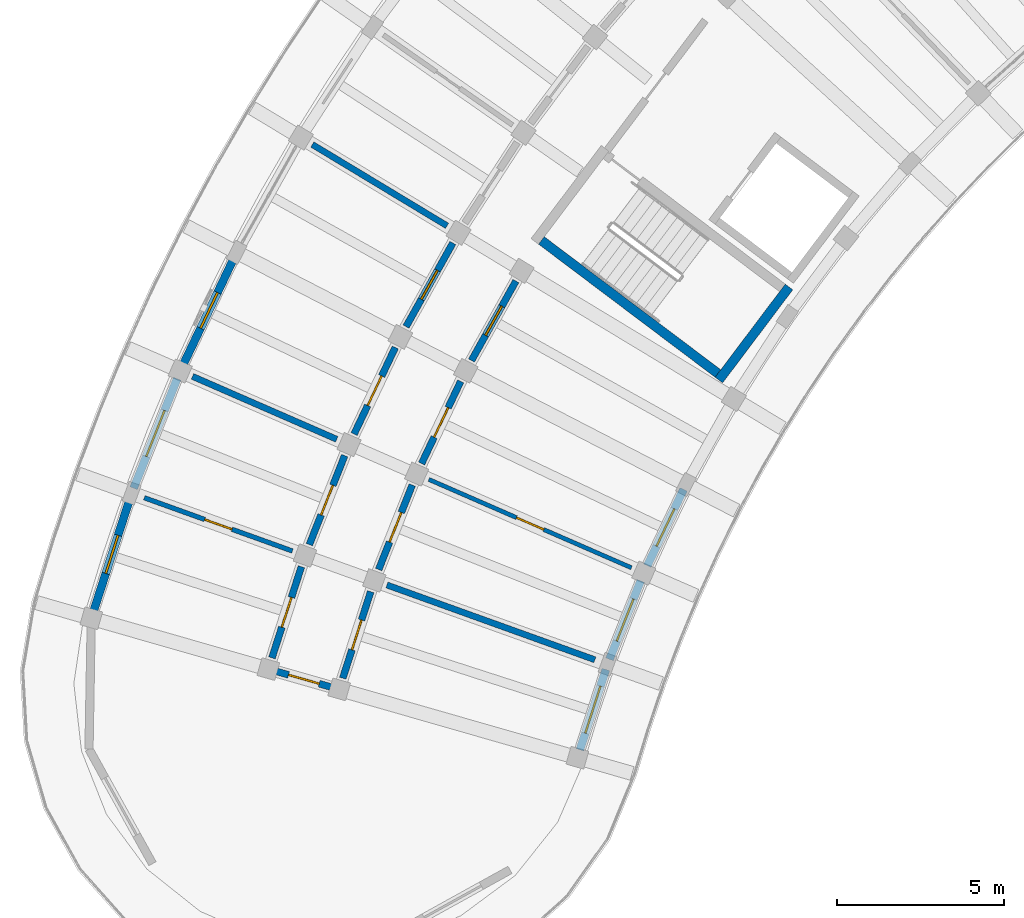
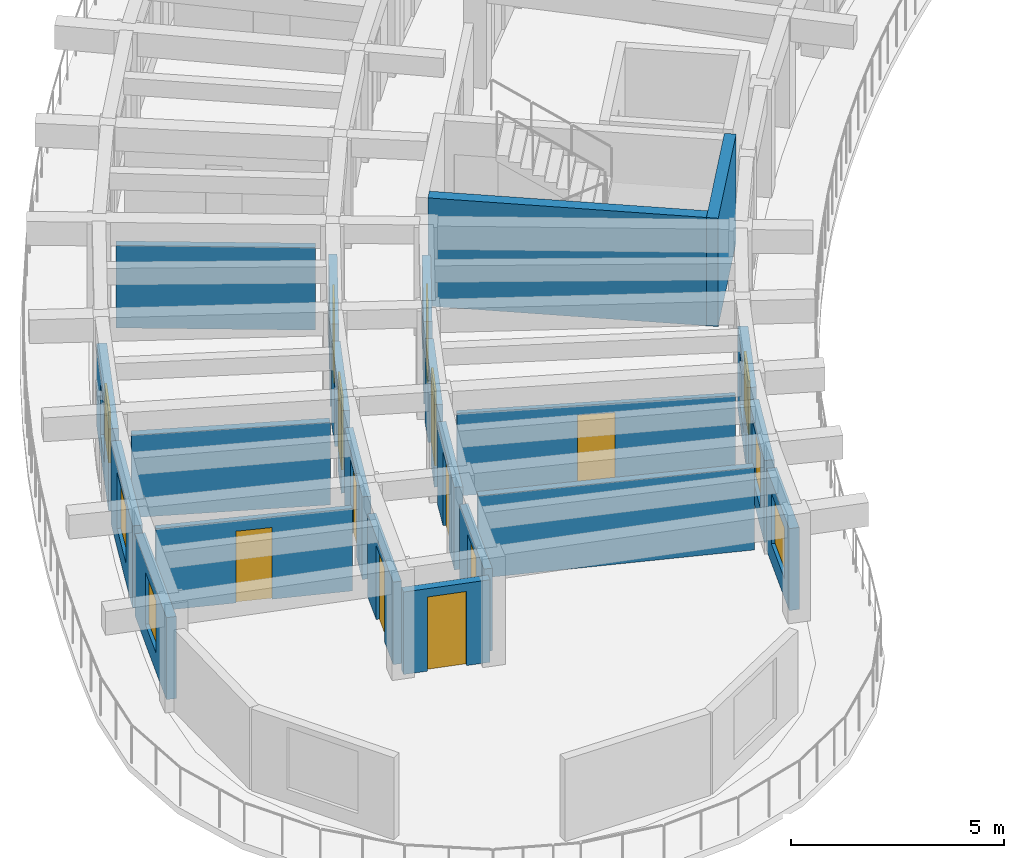
# One storey, part 42 of 78: 22 walls, 11 doors, 6 windows, 17 openings.
"""IFC4 building model written with IfcOpenShell, lengths in metres."""

import ifcopenshell
import ifcopenshell.guid

model = None  # the IFC model being written
_history = None  # IfcOwnerHistory: only IFC2X3 demands one
_inside = {}  # id of a spatial element -> (the spatial element, [elements in it])
_under = {}  # id of a project, library or spatial element -> (it, [spatial elements below it])
_declared = {}  # id of a project -> (the project, [libraries it declares])
_typed = {}  # id of a type object -> (the type object, [elements of that type])
_made_of = {}  # id of a material, layer set ... -> (it, [elements and type objects made of it])


def new_model(schema):
    """Start an empty IFC model of exactly this schema.

    Asked for "IFC4X3", IfcOpenShell would pick the latest addendum, in which some entities
    have other attributes; the version numbers below select the first issue.
    IFC2X3 requires an IfcOwnerHistory on every rooted entity: one is made here for all.
    """
    global model, _history
    if schema == "IFC4X3":
        model = ifcopenshell.file(schema_version=(4, 3, 0, 0))
    else:
        model = ifcopenshell.file(schema=schema)
    _inside.clear()
    _under.clear()
    _declared.clear()
    _typed.clear()
    _made_of.clear()
    _history = None
    if model.schema == "IFC2X3":
        org = make("IfcOrganization", Name="unknown")
        user = make(
            "IfcPersonAndOrganization",
            ThePerson=make("IfcPerson", FamilyName="unknown"),
            TheOrganization=org,
        )
        app = make(
            "IfcApplication",
            ApplicationDeveloper=org,
            Version="unknown",
            ApplicationFullName="unknown",
            ApplicationIdentifier="unknown",
        )
        _history = make(
            "IfcOwnerHistory",
            OwningUser=user,
            OwningApplication=app,
            ChangeAction="ADDED",
            CreationDate=0,
        )
    return model


def make(cls, **values):
    """One entity of the class cls with the attributes given. An attribute that is None is left unset."""
    return model.create_entity(
        cls, **{name: value for name, value in values.items() if value is not None}
    )


def rooted(cls, **values):
    """An entity with a GlobalId (a new one), such as an element, a storey or a relation."""
    return make(cls, GlobalId=ifcopenshell.guid.new(), OwnerHistory=_history, **values)


def si_unit(unit_type, name, prefix=None):
    """IfcSIUnit, for example si_unit("LENGTHUNIT", "METRE", prefix="MILLI")."""
    return make("IfcSIUnit", UnitType=unit_type, Prefix=prefix, Name=name)


def assignment(units):
    """IfcUnitAssignment: the units of a project."""
    return None if units is None else make("IfcUnitAssignment", Units=units)


def point(xyz):
    """IfcCartesianPoint."""
    return None if xyz is None else make("IfcCartesianPoint", Coordinates=xyz)


def direction(xyz):
    """IfcDirection."""
    return None if xyz is None else make("IfcDirection", DirectionRatios=xyz)


def frame(location, z_axis=None, x_axis=None):
    """IfcAxis2Placement3D, a coordinate frame: its origin and axes. An axis left out is left unset."""
    return make(
        "IfcAxis2Placement3D",
        Location=point(location),
        Axis=direction(z_axis),
        RefDirection=direction(x_axis),
    )


def frame_2d(location, x_axis=None):
    """IfcAxis2Placement2D, a coordinate frame in the plane: its origin and x axis."""
    return make(
        "IfcAxis2Placement2D", Location=point(location), RefDirection=direction(x_axis)
    )


def origin():
    """The frame at (0, 0, 0) with its axes left unset."""
    return frame((0.0, 0.0, 0.0))


def place(relative_to, where):
    """IfcLocalPlacement: puts the frame where relative to a parent placement (None: the world)."""
    return make(
        "IfcLocalPlacement", PlacementRelTo=relative_to, RelativePlacement=where
    )


def context(
    kind, dimensions, precision=None, world=None, true_north=None, identifier=None
):
    """IfcGeometricRepresentationContext, for example the 3D "Model" context."""
    return make(
        "IfcGeometricRepresentationContext",
        ContextIdentifier=identifier,
        ContextType=kind,
        CoordinateSpaceDimension=dimensions,
        Precision=precision,
        WorldCoordinateSystem=world,
        TrueNorth=true_north,
    )


def subcontext(parent, identifier, kind, view, scale=None):
    """IfcGeometricRepresentationSubContext, for example "Body" below "Model"."""
    return make(
        "IfcGeometricRepresentationSubContext",
        ContextIdentifier=identifier,
        ContextType=kind,
        ParentContext=parent,
        TargetScale=scale,
        TargetView=view,
    )


def project(units=None, contexts=None):
    """IfcProject with its units and contexts."""
    return rooted(
        "IfcProject",
        Name="project",
        RepresentationContexts=contexts,
        UnitsInContext=assignment(units),
    )


def spatial(cls, under=None, at=None, **own):
    """A site, building, storey or space (cls), placed at a placement, below another one or the project."""
    s = rooted(cls, ObjectPlacement=at, **own)
    if under is not None:
        _under.setdefault(under.id(), (under, []))[1].append(s)
    return s


def profile(cls, at=None, kind="AREA", **sizes):
    """A parametric profile (cls). Its sizes go by their IFC names, for example OverallWidth=200.0."""
    return make(cls, ProfileType=kind, Position=at, **sizes)


def rectangle(**sizes):
    """IfcRectangleProfileDef."""
    return profile("IfcRectangleProfileDef", **sizes)


def extrude(swept, where, along, depth):
    """IfcExtrudedAreaSolid: the profile swept, set in the frame where, extruded along a direction by depth."""
    return make(
        "IfcExtrudedAreaSolid",
        SweptArea=swept,
        Position=where,
        ExtrudedDirection=direction(along),
        Depth=depth,
    )


def shape(context_of_items, identifier, shape_type, items):
    """IfcShapeRepresentation: the items that make up one representation, for example the "Body"."""
    return make(
        "IfcShapeRepresentation",
        ContextOfItems=context_of_items,
        RepresentationIdentifier=identifier,
        RepresentationType=shape_type,
        Items=items,
    )


def material(Name=None, Category=None):
    """IfcMaterial."""
    return make("IfcMaterial", Name=Name, Category=Category)


def layer(
    of_material, thickness, ventilated=None, Name=None, Category=None, Priority=None
):
    """IfcMaterialLayer: one layer of a wall or slab, of a material (None: an air gap)."""
    return make(
        "IfcMaterialLayer",
        Material=of_material,
        LayerThickness=thickness,
        IsVentilated=ventilated,
        Name=Name,
        Category=Category,
        Priority=Priority,
    )


def layer_set(layers, Name=None):
    """IfcMaterialLayerSet."""
    return make("IfcMaterialLayerSet", MaterialLayers=layers, LayerSetName=Name)


def made_of(thing, what):
    """Note that an element or type object is made of a material, layer set ...; save() writes the relation."""
    if what is not None:
        _made_of.setdefault(what.id(), (what, []))[1].append(thing)
    return thing


def type_object(cls, material=None, **own):
    """A type object (cls), such as IfcWallType, which elements share."""
    return made_of(rooted(cls, **own), material)


def element(
    cls,
    number,
    at=None,
    inside=None,
    cuts=None,
    type_object=None,
    material=None,
    context=None,
    identifier="Body",
    shape_type=None,
    held_by="IfcProductDefinitionShape",
    body=None,
    shapes=None,
    **own,
):
    """One element of the class cls, such as IfcWall. Its Tag is "e" and its number.

    at: its placement. inside: the storey or other place that contains it. cuts: it is an
    opening in that element (IfcRelVoidsElement). A single representation is given by context,
    identifier, shape_type and body (its items); several are given by shapes. held_by: the class
    of the entity that holds the representations. save() writes the other relations.
    """
    e = rooted(cls, Tag="e%d" % number, ObjectPlacement=at, **own)
    if body is not None:
        shapes = [shape(context, identifier, shape_type, body)]
    if shapes is not None:
        e.Representation = make(held_by, Representations=shapes)
    if inside is not None:
        _inside.setdefault(inside.id(), (inside, []))[1].append(e)
    if cuts is not None:
        rooted(
            "IfcRelVoidsElement", RelatingBuildingElement=cuts, RelatedOpeningElement=e
        )
    if type_object is not None:
        _typed.setdefault(type_object.id(), (type_object, []))[1].append(e)
    return made_of(e, material)


def fill(opening, filler):
    """IfcRelFillsElement: the door or window that sits in an opening."""
    return rooted(
        "IfcRelFillsElement",
        RelatingOpeningElement=opening,
        RelatedBuildingElement=filler,
    )


def aggregate(whole, parts):
    """IfcRelAggregates: a whole, such as a stair, and the parts it consists of."""
    return rooted("IfcRelAggregates", RelatingObject=whole, RelatedObjects=parts)


def save(model, path):
    """Write the relations noted so far, then the file.

    IfcRelAggregates (storeys below a building ...), IfcRelContainedInSpatialStructure (elements
    in a storey), IfcRelDefinesByType, IfcRelAssociatesMaterial and IfcRelDeclares: one each for
    every whole, place, type object, material and project.
    """
    for whole, parts in _under.values():
        aggregate(whole, parts)
    for where, things in _inside.values():
        rooted(
            "IfcRelContainedInSpatialStructure",
            RelatedElements=things,
            RelatingStructure=where,
        )
    for kind, things in _typed.values():
        rooted("IfcRelDefinesByType", RelatedObjects=things, RelatingType=kind)
    for what, things in _made_of.values():
        rooted("IfcRelAssociatesMaterial", RelatedObjects=things, RelatingMaterial=what)
    for by, libraries in _declared.values():
        rooted("IfcRelDeclares", RelatingContext=by, RelatedDefinitions=libraries)
    model.write(path)


model = new_model("IFC4")

# Units and contexts
model_context = context("Model", 3, precision=1e-05, world=origin(), true_north=direction((0.0, 1.0)))
body_context = subcontext(model_context, "Body", "Model", "MODEL_VIEW")
ifc_project = project(units=[si_unit("LENGTHUNIT", "METRE"), si_unit("AREAUNIT", "SQUARE_METRE"), si_unit("VOLUMEUNIT", "CUBIC_METRE"), si_unit("PLANEANGLEUNIT", "RADIAN"), si_unit("MASSUNIT", "GRAM", prefix="KILO")], contexts=[model_context])

# Site, building, storey
site_placement = place(None, origin())
site = spatial("IfcSite", under=ifc_project, at=site_placement, CompositionType="ELEMENT")
building_placement = place(site_placement, origin())
building = spatial("IfcBuilding", under=site, at=building_placement, Name="Tanwirah Colonnade Gardens", CompositionType="ELEMENT")
storey_placement = place(building_placement, frame((0.0, 0.0, 22.280029296875)))
storey = spatial("IfcBuildingStorey", under=building, at=storey_placement, Name="L06", CompositionType="ELEMENT", Elevation=22.280029296875)

# Wall, opening, window
ifc_material_1 = material(Name="Limestone architectural precast concrete C40/50", Category="masonry")
ifc_layer_1 = layer(ifc_material_1, 0.2451171875)
ifc_layer_set_1 = layer_set([ifc_layer_1], Name="Limestone architectural precast concrete C40/50")
wall_type_1 = type_object("IfcWallType", Name="EW-PC245", PredefinedType="SOLIDWALL", material=ifc_layer_set_1)
wall_1_placement = place(storey_placement, frame((12.030029296875, 87.39892578125, 0.0), z_axis=(0.0, 0.0, 1.0), x_axis=(-0.429653621352, -0.902993779413, 0.0)))
wall_1 = element("IfcWall", 1, at=wall_1_placement, inside=storey, type_object=wall_type_1, Name="Block A L06 OUT Precast Facade Wall 15", PredefinedType="SOLIDWALL", context=body_context, shape_type="SweptSolid", body=[
    extrude(rectangle(XDim=3.520751953125, YDim=0.2451171875, at=frame_2d((1.76025390625, 0.0))), origin(), (0.0, 0.0, 1.0), 2.35498046875),
])
opening_1_placement = place(wall_1_placement, frame((1.17041015625, 0.0, 0.550048828125)))
opening_1 = element("IfcOpeningElement", 2, at=opening_1_placement, cuts=wall_1, Name="Opening WIN-T16", PredefinedType="OPENING", context=body_context, shape_type="SweptSolid", body=[
    extrude(rectangle(XDim=1.179931640625, YDim=1.47998046875, at=frame_2d((0.58984375, 0.739990234375))), frame((0.0, 0.132568359375, 0.0), z_axis=(0.0, -1.0, 0.0), x_axis=(1.0, 0.0, 0.0)), (0.0, 0.0, 1.0), 0.26513671875),
])
ifc_material_2 = material(Name="Thermally broken bronze aluminium and solar low-E double glazing", Category="aluminium")
window_type_1 = type_object("IfcWindowType", Name="WIN-T16", PartitioningType="SINGLE_PANEL", PredefinedType="WINDOW", material=ifc_material_2)
window_1_placement = place(opening_1_placement, origin())
window_1 = element("IfcWindow", 3, at=window_1_placement, inside=storey, type_object=window_type_1, Name="Facade window A-L06-OUT-15", OverallHeight=1.47998046875, OverallWidth=1.179931640625, PartitioningType="SINGLE_PANEL", PredefinedType="WINDOW", context=body_context, shape_type="SweptSolid", body=[
    extrude(rectangle(XDim=1.179931640625, YDim=1.47998046875, at=frame_2d((0.58984375, 0.739990234375))), frame((0.0, 0.030029296875, 0.0), z_axis=(0.0, -1.0, 0.0), x_axis=(1.0, 0.0, 0.0)), (0.0, 0.0, 1.0), 0.06005859375),
])
fill(opening_1, window_1)

wall_2_placement = place(storey_placement, frame((25.444091796875, 80.465576171875, 0.0), z_axis=(0.0, 0.0, 1.0), x_axis=(-0.429610836066, -0.903014135844, 0.0)))
wall_2 = element("IfcWall", 4, at=wall_2_placement, inside=storey, type_object=wall_type_1, Name="Block A L06 IN Precast Facade Wall 15", PredefinedType="SOLIDWALL", context=body_context, shape_type="SweptSolid", body=[
    extrude(rectangle(XDim=2.525390625, YDim=0.2451171875, at=frame_2d((1.2626953125, 0.0))), origin(), (0.0, 0.0, 1.0), 2.35498046875),
])
opening_2_placement = place(wall_2_placement, frame((0.642578125, 0.0, 0.550048828125)))
opening_2 = element("IfcOpeningElement", 5, at=opening_2_placement, cuts=wall_2, Name="Opening WIN-U03", PredefinedType="OPENING", context=body_context, shape_type="SweptSolid", body=[
    extrude(rectangle(XDim=1.239990234375, YDim=1.534912109375, at=frame_2d((0.6201171875, 0.767578125))), frame((0.0, 0.132568359375, 0.0), z_axis=(0.0, -1.0, 0.0), x_axis=(1.0, 0.0, 0.0)), (0.0, 0.0, 1.0), 0.26513671875),
])
window_type_2 = type_object("IfcWindowType", Name="WIN-U03", PartitioningType="DOUBLE_PANEL_VERTICAL", PredefinedType="WINDOW", material=ifc_material_2)
window_2_placement = place(opening_2_placement, origin())
window_2 = element("IfcWindow", 6, at=window_2_placement, inside=storey, type_object=window_type_2, Name="Facade window A-L06-IN-15", OverallHeight=1.534912109375, OverallWidth=1.239990234375, PartitioningType="SINGLE_PANEL", PredefinedType="WINDOW", context=body_context, shape_type="SweptSolid", body=[
    extrude(rectangle(XDim=1.239990234375, YDim=1.534912109375, at=frame_2d((0.6201171875, 0.767578125))), frame((0.0, 0.030029296875, 0.0), z_axis=(0.0, -1.0, 0.0), x_axis=(1.0, 0.0, 0.0)), (0.0, 0.0, 1.0), 0.06005859375),
])
fill(opening_2, window_2)

wall_3_placement = place(storey_placement, frame((10.32177734375, 83.770751953125, 0.0), z_axis=(0.0, 0.0, 1.0), x_axis=(-0.369249632056, -0.929330247666, 0.0)))
wall_3 = element("IfcWall", 7, at=wall_3_placement, inside=storey, type_object=wall_type_1, Name="Block A L06 OUT Precast Facade Wall 16", PredefinedType="SOLIDWALL", context=body_context, shape_type="SweptSolid", body=[
    extrude(rectangle(XDim=3.520751953125, YDim=0.2451171875, at=frame_2d((1.76025390625, 0.0))), origin(), (0.0, 0.0, 1.0), 2.35498046875),
])
opening_3_placement = place(wall_3_placement, frame((1.020263671875, 0.0, 0.550048828125)))
opening_3 = element("IfcOpeningElement", 8, at=opening_3_placement, cuts=wall_3, Name="Opening WIN-T19", PredefinedType="OPENING", context=body_context, shape_type="SweptSolid", body=[
    extrude(rectangle(XDim=1.47998046875, YDim=1.6201171875, at=frame_2d((0.739990234375, 0.81005859375))), frame((0.0, 0.132568359375, 0.0), z_axis=(0.0, -1.0, 0.0), x_axis=(1.0, 0.0, 0.0)), (0.0, 0.0, 1.0), 0.26513671875),
])
window_type_3 = type_object("IfcWindowType", Name="WIN-T19", PartitioningType="DOUBLE_PANEL_VERTICAL", PredefinedType="WINDOW", material=ifc_material_2)
window_3_placement = place(opening_3_placement, origin())
window_3 = element("IfcWindow", 9, at=window_3_placement, inside=storey, type_object=window_type_3, Name="Facade window A-L06-OUT-16", OverallHeight=1.6201171875, OverallWidth=1.47998046875, PartitioningType="SINGLE_PANEL", PredefinedType="WINDOW", context=body_context, shape_type="SweptSolid", body=[
    extrude(rectangle(XDim=1.47998046875, YDim=1.6201171875, at=frame_2d((0.739990234375, 0.81005859375))), frame((0.0, 0.030029296875, 0.0), z_axis=(0.0, -1.0, 0.0), x_axis=(1.0, 0.0, 0.0)), (0.0, 0.0, 1.0), 0.06005859375),
])
fill(opening_3, window_3)

wall_4_placement = place(storey_placement, frame((24.163330078125, 77.736328125, 0.0), z_axis=(0.0, 0.0, 1.0), x_axis=(-0.369122600107, -0.92938071106, 0.0)))
wall_4 = element("IfcWall", 10, at=wall_4_placement, inside=storey, type_object=wall_type_1, Name="Block A L06 IN Precast Facade Wall 16", PredefinedType="SOLIDWALL", context=body_context, shape_type="SweptSolid", body=[
    extrude(rectangle(XDim=2.525146484375, YDim=0.2451171875, at=frame_2d((1.2626953125, 0.0))), origin(), (0.0, 0.0, 1.0), 2.35498046875),
])
opening_4_placement = place(wall_4_placement, frame((0.58251953125, 0.0, 0.550048828125)))
opening_4 = element("IfcOpeningElement", 11, at=opening_4_placement, cuts=wall_4, Name="Opening WIN-U06", PredefinedType="OPENING", context=body_context, shape_type="SweptSolid", body=[
    extrude(rectangle(XDim=1.360107421875, YDim=1.610107421875, at=frame_2d((0.68017578125, 0.80517578125))), frame((0.0, 0.132568359375, 0.0), z_axis=(0.0, -1.0, 0.0), x_axis=(1.0, 0.0, 0.0)), (0.0, 0.0, 1.0), 0.26513671875),
])
window_type_4 = type_object("IfcWindowType", Name="WIN-U06", PartitioningType="DOUBLE_PANEL_VERTICAL", PredefinedType="WINDOW", material=ifc_material_2)
window_4_placement = place(opening_4_placement, origin())
window_4 = element("IfcWindow", 12, at=window_4_placement, inside=storey, type_object=window_type_4, Name="Facade window A-L06-IN-16", OverallHeight=1.610107421875, OverallWidth=1.360107421875, PartitioningType="SINGLE_PANEL", PredefinedType="WINDOW", context=body_context, shape_type="SweptSolid", body=[
    extrude(rectangle(XDim=1.360107421875, YDim=1.610107421875, at=frame_2d((0.68017578125, 0.80517578125))), frame((0.0, 0.030029296875, 0.0), z_axis=(0.0, -1.0, 0.0), x_axis=(1.0, 0.0, 0.0)), (0.0, 0.0, 1.0), 0.06005859375),
])
fill(opening_4, window_4)

wall_5_placement = place(storey_placement, frame((8.91357421875, 80.19775390625, 0.0), z_axis=(0.0, 0.0, 1.0), x_axis=(-0.30720538788, -0.951643236543, 0.0)))
wall_5 = element("IfcWall", 13, at=wall_5_placement, inside=storey, type_object=wall_type_1, Name="Block A L06 OUT Precast Facade Wall 17", PredefinedType="SOLIDWALL", context=body_context, shape_type="SweptSolid", body=[
    extrude(rectangle(XDim=3.5205078125, YDim=0.2451171875, at=frame_2d((1.76025390625, 0.0))), origin(), (0.0, 0.0, 1.0), 2.35498046875),
])
opening_5_placement = place(wall_5_placement, frame((1.160400390625, 0.0, 0.550048828125)))
opening_5 = element("IfcOpeningElement", 14, at=opening_5_placement, cuts=wall_5, Name="Opening WIN-U02", PredefinedType="OPENING", context=body_context, shape_type="SweptSolid", body=[
    extrude(rectangle(XDim=1.199951171875, YDim=1.510009765625, at=frame_2d((0.60009765625, 0.7548828125))), frame((0.0, 0.132568359375, 0.0), z_axis=(0.0, -1.0, 0.0), x_axis=(1.0, 0.0, 0.0)), (0.0, 0.0, 1.0), 0.26513671875),
])
window_type_5 = type_object("IfcWindowType", Name="WIN-U02", PartitioningType="DOUBLE_PANEL_VERTICAL", PredefinedType="WINDOW", material=ifc_material_2)
window_5_placement = place(opening_5_placement, origin())
window_5 = element("IfcWindow", 15, at=window_5_placement, inside=storey, type_object=window_type_5, Name="Facade window A-L06-OUT-17", OverallHeight=1.510009765625, OverallWidth=1.199951171875, PartitioningType="SINGLE_PANEL", PredefinedType="WINDOW", context=body_context, shape_type="SweptSolid", body=[
    extrude(rectangle(XDim=1.199951171875, YDim=1.510009765625, at=frame_2d((0.60009765625, 0.7548828125))), frame((0.0, 0.030029296875, 0.0), z_axis=(0.0, -1.0, 0.0), x_axis=(1.0, 0.0, 0.0)), (0.0, 0.0, 1.0), 0.06005859375),
])
fill(opening_5, window_5)

wall_6_placement = place(storey_placement, frame((23.122802734375, 75.08837890625, 0.0), z_axis=(0.0, 0.0, 1.0), x_axis=(-0.30716379336, -0.951656662903, 0.0)))
wall_6 = element("IfcWall", 16, at=wall_6_placement, inside=storey, type_object=wall_type_1, Name="Block A L06 IN Precast Facade Wall 17", PredefinedType="SOLIDWALL", context=body_context, shape_type="SweptSolid", body=[
    extrude(rectangle(XDim=2.525146484375, YDim=0.2451171875, at=frame_2d((1.2626953125, 0.0))), origin(), (0.0, 0.0, 1.0), 2.35498046875),
])
opening_6_placement = place(wall_6_placement, frame((0.522705078125, 0.0, 0.550048828125)))
opening_6 = element("IfcOpeningElement", 17, at=opening_6_placement, cuts=wall_6, Name="Opening WIN-U09", PredefinedType="OPENING", context=body_context, shape_type="SweptSolid", body=[
    extrude(rectangle(XDim=1.47998046875, YDim=1.4599609375, at=frame_2d((0.739990234375, 0.72998046875))), frame((0.0, 0.132568359375, 0.0), z_axis=(0.0, -1.0, 0.0), x_axis=(1.0, 0.0, 0.0)), (0.0, 0.0, 1.0), 0.26513671875),
])
window_type_6 = type_object("IfcWindowType", Name="WIN-U09", PartitioningType="DOUBLE_PANEL_VERTICAL", PredefinedType="WINDOW", material=ifc_material_2)
window_6_placement = place(opening_6_placement, origin())
window_6 = element("IfcWindow", 18, at=window_6_placement, inside=storey, type_object=window_type_6, Name="Facade window A-L06-IN-17", OverallHeight=1.4599609375, OverallWidth=1.47998046875, PartitioningType="SINGLE_PANEL", PredefinedType="WINDOW", context=body_context, shape_type="SweptSolid", body=[
    extrude(rectangle(XDim=1.47998046875, YDim=1.4599609375, at=frame_2d((0.739990234375, 0.72998046875))), frame((0.0, 0.030029296875, 0.0), z_axis=(0.0, -1.0, 0.0), x_axis=(1.0, 0.0, 0.0)), (0.0, 0.0, 1.0), 0.06005859375),
])
fill(opening_6, window_6)

# Wall, opening, door
ifc_material_3 = material(Name="Precast concrete C40/50", Category="concrete")
ifc_layer_2 = layer(ifc_material_3, 0.205078125)
ifc_layer_set_2 = layer_set([ifc_layer_2], Name="Precast concrete C40/50")
wall_type_2 = type_object("IfcWallType", Name="IW-CORR205", PredefinedType="PARTITIONING", material=ifc_layer_set_2)
wall_7_placement = place(storey_placement, frame((18.55322265625, 87.822021484375, 0.0), z_axis=(0.0, 0.0, 1.0), x_axis=(-0.488211211273, -0.872725508501, 0.0)))
wall_7 = element("IfcWall", 19, at=wall_7_placement, inside=storey, type_object=wall_type_2, Name="Block A L06 OUT Corridor Wall 14", PredefinedType="PARTITIONING", context=body_context, shape_type="SweptSolid", body=[
    extrude(rectangle(XDim=2.86279296875, YDim=0.205078125, at=frame_2d((1.431396484375, 0.0))), origin(), (0.0, 0.0, 1.0), 2.369873046875),
])
opening_7_placement = place(wall_7_placement, frame((0.9365234375, 0.0, 0.0)))
opening_7 = element("IfcOpeningElement", 20, at=opening_7_placement, cuts=wall_7, Name="Opening L06-AD503", PredefinedType="OPENING", context=body_context, shape_type="SweptSolid", body=[
    extrude(rectangle(XDim=0.989990234375, YDim=2.159912109375, at=frame_2d((0.4951171875, 1.080078125))), frame((0.0, 0.112548828125, 0.0), z_axis=(0.0, -1.0, 0.0), x_axis=(1.0, 0.0, 0.0)), (0.0, 0.0, 1.0), 0.22509765625),
])
ifc_material_4 = material(Name="Solid oak fire-resisting apartment entrance door")
door_type_1 = type_object("IfcDoorType", Name="ID-FLT099", OperationType="NOTDEFINED", PredefinedType="DOOR", material=ifc_material_4)
door_1_placement = place(opening_7_placement, origin())
door_1 = element("IfcDoor", 21, at=door_1_placement, inside=storey, type_object=door_type_1, Name="Apartment corridor door L06-AD503", OperationType="SINGLE_SWING_LEFT", OverallHeight=2.159912109375, OverallWidth=0.989990234375, PredefinedType="DOOR", context=body_context, shape_type="SweptSolid", body=[
    extrude(rectangle(XDim=0.989990234375, YDim=2.159912109375, at=frame_2d((0.4951171875, 1.080078125))), frame((0.0, 0.02490234375, 0.0), z_axis=(0.0, -1.0, 0.0), x_axis=(1.0, 0.0, 0.0)), (0.0, 0.0, 1.0), 0.050048828125),
])
fill(opening_7, door_1)

wall_8_placement = place(storey_placement, frame((20.436767578125, 86.685302734375, 0.0), z_axis=(0.0, 0.0, 1.0), x_axis=(-0.48819576874, -0.872734147025, 0.0)))
wall_8 = element("IfcWall", 22, at=wall_8_placement, inside=storey, type_object=wall_type_2, Name="Block A L06 IN Corridor Wall 14", PredefinedType="PARTITIONING", context=body_context, shape_type="SweptSolid", body=[
    extrude(rectangle(XDim=2.718017578125, YDim=0.205078125, at=frame_2d((1.35888671875, 0.0))), origin(), (0.0, 0.0, 1.0), 2.369873046875),
])
opening_8_placement = place(wall_8_placement, frame((0.864013671875, 0.0, 0.0)))
opening_8 = element("IfcOpeningElement", 23, at=opening_8_placement, cuts=wall_8, Name="Opening L06-AD504", PredefinedType="OPENING", context=body_context, shape_type="SweptSolid", body=[
    extrude(rectangle(XDim=0.989990234375, YDim=2.159912109375, at=frame_2d((0.4951171875, 1.080078125))), frame((0.0, 0.112548828125, 0.0), z_axis=(0.0, -1.0, 0.0), x_axis=(1.0, 0.0, 0.0)), (0.0, 0.0, 1.0), 0.22509765625),
])
door_2_placement = place(opening_8_placement, origin())
door_2 = element("IfcDoor", 24, at=door_2_placement, inside=storey, type_object=door_type_1, Name="Apartment corridor door L06-AD504", OperationType="SINGLE_SWING_RIGHT", OverallHeight=2.159912109375, OverallWidth=0.989990234375, PredefinedType="DOOR", context=body_context, shape_type="SweptSolid", body=[
    extrude(rectangle(XDim=0.989990234375, YDim=2.159912109375, at=frame_2d((0.4951171875, 1.080078125))), frame((0.0, 0.02490234375, 0.0), z_axis=(0.0, -1.0, 0.0), x_axis=(1.0, 0.0, 0.0)), (0.0, 0.0, 1.0), 0.050048828125),
])
fill(opening_8, door_2)

wall_9_placement = place(storey_placement, frame((16.834228515625, 84.701904296875, 0.0), z_axis=(0.0, 0.0, 1.0), x_axis=(-0.429595933416, -0.90302122566, 0.0)))
wall_9 = element("IfcWall", 25, at=wall_9_placement, inside=storey, type_object=wall_type_2, Name="Block A L06 OUT Corridor Wall 15", PredefinedType="PARTITIONING", context=body_context, shape_type="SweptSolid", body=[
    extrude(rectangle(XDim=2.863037109375, YDim=0.205078125, at=frame_2d((1.431640625, 0.0))), origin(), (0.0, 0.0, 1.0), 2.369873046875),
])
opening_9_placement = place(wall_9_placement, frame((0.946533203125, 0.0, 0.0)))
opening_9 = element("IfcOpeningElement", 26, at=opening_9_placement, cuts=wall_9, Name="Opening L06-AD505", PredefinedType="OPENING", context=body_context, shape_type="SweptSolid", body=[
    extrude(rectangle(XDim=0.969970703125, YDim=2.14990234375, at=frame_2d((0.48486328125, 1.074951171875))), frame((0.0, 0.112548828125, 0.0), z_axis=(0.0, -1.0, 0.0), x_axis=(1.0, 0.0, 0.0)), (0.0, 0.0, 1.0), 0.22509765625),
])
door_type_2 = type_object("IfcDoorType", Name="ID-FLT097", OperationType="NOTDEFINED", PredefinedType="DOOR", material=ifc_material_4)
door_3_placement = place(opening_9_placement, origin())
door_3 = element("IfcDoor", 27, at=door_3_placement, inside=storey, type_object=door_type_2, Name="Apartment corridor door L06-AD505", OperationType="SINGLE_SWING_RIGHT", OverallHeight=2.14990234375, OverallWidth=0.969970703125, PredefinedType="DOOR", context=body_context, shape_type="SweptSolid", body=[
    extrude(rectangle(XDim=0.969970703125, YDim=2.14990234375, at=frame_2d((0.48486328125, 1.074951171875))), frame((0.0, 0.02490234375, 0.0), z_axis=(0.0, -1.0, 0.0), x_axis=(1.0, 0.0, 0.0)), (0.0, 0.0, 1.0), 0.050048828125),
])
fill(opening_9, door_3)

wall_10_placement = place(storey_placement, frame((18.78857421875, 83.691650390625, 0.0), z_axis=(0.0, 0.0, 1.0), x_axis=(-0.429630211913, -0.90300491749, 0.0)))
wall_10 = element("IfcWall", 28, at=wall_10_placement, inside=storey, type_object=wall_type_2, Name="Block A L06 IN Corridor Wall 15", PredefinedType="PARTITIONING", context=body_context, shape_type="SweptSolid", body=[
    extrude(rectangle(XDim=2.718017578125, YDim=0.205078125, at=frame_2d((1.35888671875, 0.0))), origin(), (0.0, 0.0, 1.0), 2.369873046875),
])
opening_10_placement = place(wall_10_placement, frame((0.8740234375, 0.0, 0.0)))
opening_10 = element("IfcOpeningElement", 29, at=opening_10_placement, cuts=wall_10, Name="Opening L06-AD506", PredefinedType="OPENING", context=body_context, shape_type="SweptSolid", body=[
    extrude(rectangle(XDim=0.969970703125, YDim=2.14990234375, at=frame_2d((0.48486328125, 1.074951171875))), frame((0.0, 0.112548828125, 0.0), z_axis=(0.0, -1.0, 0.0), x_axis=(1.0, 0.0, 0.0)), (0.0, 0.0, 1.0), 0.22509765625),
])
door_4_placement = place(opening_10_placement, origin())
door_4 = element("IfcDoor", 30, at=door_4_placement, inside=storey, type_object=door_type_2, Name="Apartment corridor door L06-AD506", OperationType="SINGLE_SWING_LEFT", OverallHeight=2.14990234375, OverallWidth=0.969970703125, PredefinedType="DOOR", context=body_context, shape_type="SweptSolid", body=[
    extrude(rectangle(XDim=0.969970703125, YDim=2.14990234375, at=frame_2d((0.48486328125, 1.074951171875))), frame((0.0, 0.02490234375, 0.0), z_axis=(0.0, -1.0, 0.0), x_axis=(1.0, 0.0, 0.0)), (0.0, 0.0, 1.0), 0.050048828125),
])
fill(opening_10, door_4)

wall_11_placement = place(storey_placement, frame((15.32470703125, 81.47509765625, 0.0), z_axis=(0.0, 0.0, 1.0), x_axis=(-0.369213832442, -0.929344471083, 0.0)))
wall_11 = element("IfcWall", 31, at=wall_11_placement, inside=storey, type_object=wall_type_2, Name="Block A L06 OUT Corridor Wall 16", PredefinedType="PARTITIONING", context=body_context, shape_type="SweptSolid", body=[
    extrude(rectangle(XDim=2.86328125, YDim=0.205078125, at=frame_2d((1.431640625, 0.0))), origin(), (0.0, 0.0, 1.0), 2.369873046875),
])
opening_11_placement = place(wall_11_placement, frame((0.95654296875, 0.0, 0.0)))
opening_11 = element("IfcOpeningElement", 32, at=opening_11_placement, cuts=wall_11, Name="Opening L06-AD508", PredefinedType="OPENING", context=body_context, shape_type="SweptSolid", body=[
    extrude(rectangle(XDim=0.949951171875, YDim=2.1298828125, at=frame_2d((0.47509765625, 1.06494140625))), frame((0.0, 0.112548828125, 0.0), z_axis=(0.0, -1.0, 0.0), x_axis=(1.0, 0.0, 0.0)), (0.0, 0.0, 1.0), 0.22509765625),
])
door_type_3 = type_object("IfcDoorType", Name="ID-FLT095", OperationType="NOTDEFINED", PredefinedType="DOOR", material=ifc_material_4)
door_5_placement = place(opening_11_placement, origin())
door_5 = element("IfcDoor", 33, at=door_5_placement, inside=storey, type_object=door_type_3, Name="Apartment corridor door L06-AD508", OperationType="SINGLE_SWING_LEFT", OverallHeight=2.1298828125, OverallWidth=0.949951171875, PredefinedType="DOOR", context=body_context, shape_type="SweptSolid", body=[
    extrude(rectangle(XDim=0.949951171875, YDim=2.1298828125, at=frame_2d((0.47509765625, 1.06494140625))), frame((0.0, 0.02490234375, 0.0), z_axis=(0.0, -1.0, 0.0), x_axis=(1.0, 0.0, 0.0)), (0.0, 0.0, 1.0), 0.050048828125),
])
fill(opening_11, door_5)

wall_12_placement = place(storey_placement, frame((17.34130859375, 80.595947265625, 0.0), z_axis=(0.0, 0.0, 1.0), x_axis=(-0.369237170461, -0.929335198919, 0.0)))
wall_12 = element("IfcWall", 34, at=wall_12_placement, inside=storey, type_object=wall_type_2, Name="Block A L06 IN Corridor Wall 16", PredefinedType="PARTITIONING", context=body_context, shape_type="SweptSolid", body=[
    extrude(rectangle(XDim=2.71826171875, YDim=0.205078125, at=frame_2d((1.359130859375, 0.0))), origin(), (0.0, 0.0, 1.0), 2.369873046875),
])
opening_12_placement = place(wall_12_placement, frame((0.884033203125, 0.0, 0.0)))
opening_12 = element("IfcOpeningElement", 35, at=opening_12_placement, cuts=wall_12, Name="Opening L06-AD509", PredefinedType="OPENING", context=body_context, shape_type="SweptSolid", body=[
    extrude(rectangle(XDim=0.949951171875, YDim=2.1298828125, at=frame_2d((0.47509765625, 1.06494140625))), frame((0.0, 0.112548828125, 0.0), z_axis=(0.0, -1.0, 0.0), x_axis=(1.0, 0.0, 0.0)), (0.0, 0.0, 1.0), 0.22509765625),
])
door_6_placement = place(opening_12_placement, origin())
door_6 = element("IfcDoor", 36, at=door_6_placement, inside=storey, type_object=door_type_3, Name="Apartment corridor door L06-AD509", OperationType="SINGLE_SWING_RIGHT", OverallHeight=2.1298828125, OverallWidth=0.949951171875, PredefinedType="DOOR", context=body_context, shape_type="SweptSolid", body=[
    extrude(rectangle(XDim=0.949951171875, YDim=2.1298828125, at=frame_2d((0.47509765625, 1.06494140625))), frame((0.0, 0.02490234375, 0.0), z_axis=(0.0, -1.0, 0.0), x_axis=(1.0, 0.0, 0.0)), (0.0, 0.0, 1.0), 0.050048828125),
])
fill(opening_12, door_6)

wall_13_placement = place(storey_placement, frame((14.03076171875, 78.156005859375, 0.0), z_axis=(0.0, 0.0, 1.0), x_axis=(-0.307132325305, -0.951666819193, 0.0)))
wall_13 = element("IfcWall", 37, at=wall_13_placement, inside=storey, type_object=wall_type_2, Name="Block A L06 OUT Corridor Wall 17", PredefinedType="PARTITIONING", context=body_context, shape_type="SweptSolid", body=[
    extrude(rectangle(XDim=2.86328125, YDim=0.205078125, at=frame_2d((1.431640625, 0.0))), origin(), (0.0, 0.0, 1.0), 2.369873046875),
])
opening_13_placement = place(wall_13_placement, frame((0.966552734375, 0.0, 0.0)))
opening_13 = element("IfcOpeningElement", 38, at=opening_13_placement, cuts=wall_13, Name="Opening L06-AD511", PredefinedType="OPENING", context=body_context, shape_type="SweptSolid", body=[
    extrude(rectangle(XDim=0.929931640625, YDim=2.1201171875, at=frame_2d((0.46484375, 1.06005859375))), frame((0.0, 0.112548828125, 0.0), z_axis=(0.0, -1.0, 0.0), x_axis=(1.0, 0.0, 0.0)), (0.0, 0.0, 1.0), 0.22509765625),
])
door_type_4 = type_object("IfcDoorType", Name="ID-FLT093", OperationType="NOTDEFINED", PredefinedType="DOOR", material=ifc_material_4)
door_7_placement = place(opening_13_placement, origin())
door_7 = element("IfcDoor", 39, at=door_7_placement, inside=storey, type_object=door_type_4, Name="Apartment corridor door L06-AD511", OperationType="SINGLE_SWING_RIGHT", OverallHeight=2.1201171875, OverallWidth=0.929931640625, PredefinedType="DOOR", context=body_context, shape_type="SweptSolid", body=[
    extrude(rectangle(XDim=0.929931640625, YDim=2.1201171875, at=frame_2d((0.46484375, 1.06005859375))), frame((0.0, 0.02490234375, 0.0), z_axis=(0.0, -1.0, 0.0), x_axis=(1.0, 0.0, 0.0)), (0.0, 0.0, 1.0), 0.050048828125),
])
fill(opening_13, door_7)

wall_14_placement = place(storey_placement, frame((16.10107421875, 77.41162109375, 0.0), z_axis=(0.0, 0.0, 1.0), x_axis=(-0.307186478934, -0.95164934044, 0.0)))
wall_14 = element("IfcWall", 40, at=wall_14_placement, inside=storey, type_object=wall_type_2, Name="Block A L06 IN Corridor Wall 17", PredefinedType="PARTITIONING", context=body_context, shape_type="SweptSolid", body=[
    extrude(rectangle(XDim=2.718017578125, YDim=0.205078125, at=frame_2d((1.35888671875, 0.0))), origin(), (0.0, 0.0, 1.0), 2.369873046875),
])
opening_14_placement = place(wall_14_placement, frame((0.89404296875, 0.0, 0.0)))
opening_14 = element("IfcOpeningElement", 41, at=opening_14_placement, cuts=wall_14, Name="Opening L06-AD512", PredefinedType="OPENING", context=body_context, shape_type="SweptSolid", body=[
    extrude(rectangle(XDim=0.929931640625, YDim=2.1201171875, at=frame_2d((0.46484375, 1.06005859375))), frame((0.0, 0.112548828125, 0.0), z_axis=(0.0, -1.0, 0.0), x_axis=(1.0, 0.0, 0.0)), (0.0, 0.0, 1.0), 0.22509765625),
])
door_8_placement = place(opening_14_placement, origin())
door_8 = element("IfcDoor", 42, at=door_8_placement, inside=storey, type_object=door_type_4, Name="Apartment corridor door L06-AD512", OperationType="SINGLE_SWING_LEFT", OverallHeight=2.1201171875, OverallWidth=0.929931640625, PredefinedType="DOOR", context=body_context, shape_type="SweptSolid", body=[
    extrude(rectangle(XDim=0.929931640625, YDim=2.1201171875, at=frame_2d((0.46484375, 1.06005859375))), frame((0.0, 0.02490234375, 0.0), z_axis=(0.0, -1.0, 0.0), x_axis=(1.0, 0.0, 0.0)), (0.0, 0.0, 1.0), 0.050048828125),
])
fill(opening_14, door_8)

wall_15_placement = place(storey_placement, frame((15.110595703125, 74.505615234375, 0.0), z_axis=(0.0, 0.0, 1.0), x_axis=(-0.961264701934, 0.275626872449, 0.0)))
wall_15 = element("IfcWall", 43, at=wall_15_placement, inside=storey, type_object=wall_type_2, Name="Block A L06 CE Corner Suite Corridor Wall", PredefinedType="PARTITIONING", context=body_context, shape_type="SweptSolid", body=[
    extrude(rectangle(XDim=2.10009765625, YDim=0.205078125, at=frame_2d((1.050048828125, 0.0))), origin(), (0.0, 0.0, 1.0), 2.369873046875),
])
opening_15_placement = place(wall_15_placement, frame((0.570068359375, 0.0, 0.0)))
opening_15 = element("IfcOpeningElement", 44, at=opening_15_placement, cuts=wall_15, Name="Opening L06-CD514", PredefinedType="OPENING", context=body_context, shape_type="SweptSolid", body=[
    extrude(rectangle(XDim=0.949951171875, YDim=2.1298828125, at=frame_2d((0.47509765625, 1.06494140625))), frame((0.0, 0.112548828125, 0.0), z_axis=(0.0, -1.0, 0.0), x_axis=(1.0, 0.0, 0.0)), (0.0, 0.0, 1.0), 0.22509765625),
])
door_9_placement = place(opening_15_placement, origin())
door_9 = element("IfcDoor", 45, at=door_9_placement, inside=storey, type_object=door_type_3, Name="Corner suite entrance door L06-CD514", OperationType="SINGLE_SWING_RIGHT", OverallHeight=2.1298828125, OverallWidth=0.949951171875, PredefinedType="DOOR", context=body_context, shape_type="SweptSolid", body=[
    extrude(rectangle(XDim=0.949951171875, YDim=2.1298828125, at=frame_2d((0.47509765625, 1.06494140625))), frame((0.0, 0.02490234375, 0.0), z_axis=(0.0, -1.0, 0.0), x_axis=(1.0, 0.0, 0.0)), (0.0, 0.0, 1.0), 0.050048828125),
])
fill(opening_15, door_9)

# Walls
ifc_layer_3 = layer(ifc_material_3, 0.18505859375)
ifc_layer_set_3 = layer_set([ifc_layer_3], Name="Precast concrete C40/50")
wall_type_3 = type_object("IfcWallType", Name="IW-DEM185", PredefinedType="PARTITIONING", material=ifc_layer_set_3)
for number, where, z_axis, x_axis, name in (
    (46, (18.381591796875, 88.334228515625, 0.0), (0.0, 0.0, 1.0), (-0.856165473929, 0.516701733356, 0.0), "Block A L06 Radial Partition 13"),
    (47, (15.087158203125, 81.960205078125, 0.0), (0.0, 0.0, 1.0), (-0.916663273961, 0.39966040856, 0.0), "Block A L06 Radial Partition 15"),
):
    element("IfcWall", number, at=place(storey_placement, frame(where, z_axis=z_axis, x_axis=x_axis)), inside=storey, type_object=wall_type_3, Name=name, PredefinedType="PARTITIONING", context=body_context, shape_type="SweptSolid", body=[
        extrude(rectangle(XDim=4.699951171875, YDim=0.18505859375, at=frame_2d((2.35009765625, 0.0))), origin(), (0.0, 0.0, 1.0), 2.369873046875),
    ])
wall_16_placement = place(storey_placement, frame((22.795654296875, 75.3759765625, 0.0), z_axis=(0.0, 0.0, 1.0), x_axis=(-0.941005714099, 0.338390670725, 0.0)))
element("IfcWall", 48, at=wall_16_placement, inside=storey, type_object=wall_type_3, Name="Block A L06 Inner Radial Partition 16", PredefinedType="PARTITIONING", context=body_context, shape_type="SweptSolid", body=[
    extrude(rectangle(XDim=6.60009765625, YDim=0.18505859375, at=frame_2d((3.300048828125, 0.0))), origin(), (0.0, 0.0, 1.0), 2.369873046875),
])

# Wall, opening, door
ifc_material_5 = material(Name="Moisture-resistant gypsum stud partition")
ifc_layer_4 = layer(ifc_material_5, 0.125)
ifc_layer_set_4 = layer_set([ifc_layer_4], Name="Moisture-resistant gypsum stud partition")
wall_type_4 = type_object("IfcWallType", Name="IW-INT125", PredefinedType="PARTITIONING", material=ifc_layer_set_4)
wall_17_placement = place(storey_placement, frame((23.88720703125, 78.123779296875, 0.0), z_axis=(0.0, 0.0, 1.0), x_axis=(-0.916668515796, 0.399648385645, 0.0)))
wall_17 = element("IfcWall", 49, at=wall_17_placement, inside=storey, type_object=wall_type_4, Name="Block A L06 Inner Radial Partition 15", PredefinedType="PARTITIONING", context=body_context, shape_type="SweptSolid", body=[
    extrude(rectangle(XDim=6.60009765625, YDim=0.125, at=frame_2d((3.300048828125, 0.0))), origin(), (0.0, 0.0, 1.0), 2.369873046875),
])
opening_16_placement = place(wall_17_placement, frame((2.85498046875, 0.0, 0.0)))
opening_16 = element("IfcOpeningElement", 50, at=opening_16_placement, cuts=wall_17, Name="Opening L06-RD507", PredefinedType="OPENING", context=body_context, shape_type="SweptSolid", body=[
    extrude(rectangle(XDim=0.889892578125, YDim=2.10009765625, at=frame_2d((0.44482421875, 1.050048828125))), frame((0.0, 0.072509765625, 0.0), z_axis=(0.0, -1.0, 0.0), x_axis=(1.0, 0.0, 0.0)), (0.0, 0.0, 1.0), 0.14501953125),
])
ifc_material_6 = material(Name="Painted hardwood bedroom door", Category="wood")
door_type_5 = type_object("IfcDoorType", Name="ID-RM089", OperationType="NOTDEFINED", PredefinedType="DOOR", material=ifc_material_6)
door_10_placement = place(opening_16_placement, origin())
door_10 = element("IfcDoor", 51, at=door_10_placement, inside=storey, type_object=door_type_5, Name="Internal apartment door L06-RD507", OperationType="SINGLE_SWING_LEFT", OverallHeight=2.10009765625, OverallWidth=0.889892578125, PredefinedType="DOOR", context=body_context, shape_type="SweptSolid", body=[
    extrude(rectangle(XDim=0.889892578125, YDim=2.10009765625, at=frame_2d((0.44482421875, 1.050048828125))), frame((0.0, 0.02490234375, 0.0), z_axis=(0.0, -1.0, 0.0), x_axis=(1.0, 0.0, 0.0)), (0.0, 0.0, 1.0), 0.050048828125),
])
fill(opening_16, door_10)

ifc_material_7 = material(Name="Water-resistant acoustic plumbing partition")
ifc_layer_5 = layer(ifc_material_7, 0.139892578125)
ifc_layer_set_5 = layer_set([ifc_layer_5], Name="Water-resistant acoustic plumbing partition")
wall_type_5 = type_object("IfcWallType", Name="IW-WET140", PredefinedType="PLUMBINGWALL", material=ifc_layer_set_5)
wall_18_placement = place(storey_placement, frame((13.761962890625, 78.62451171875, 0.0), z_axis=(0.0, 0.0, 1.0), x_axis=(-0.941015806044, 0.338362605463, 0.0)))
wall_18 = element("IfcWall", 52, at=wall_18_placement, inside=storey, type_object=wall_type_5, Name="Block A L06 Radial Partition 16", PredefinedType="PLUMBINGWALL", context=body_context, shape_type="SweptSolid", body=[
    extrude(rectangle(XDim=4.7001953125, YDim=0.139892578125, at=frame_2d((2.35009765625, 0.0))), origin(), (0.0, 0.0, 1.0), 2.369873046875),
])
opening_17_placement = place(wall_18_placement, frame((1.919921875, 0.0, 0.0)))
opening_17 = element("IfcOpeningElement", 53, at=opening_17_placement, cuts=wall_18, Name="Opening L06-RD510", PredefinedType="OPENING", context=body_context, shape_type="SweptSolid", body=[
    extrude(rectangle(XDim=0.860107421875, YDim=2.06005859375, at=frame_2d((0.43017578125, 1.030029296875))), frame((0.0, 0.079833984375, 0.0), z_axis=(0.0, -1.0, 0.0), x_axis=(1.0, 0.0, 0.0)), (0.0, 0.0, 1.0), 0.159912109375),
])
ifc_material_8 = material(Name="Moisture-resistant bathroom door")
door_type_6 = type_object("IfcDoorType", Name="ID-WET086", OperationType="NOTDEFINED", PredefinedType="DOOR", material=ifc_material_8)
door_11_placement = place(opening_17_placement, origin())
door_11 = element("IfcDoor", 54, at=door_11_placement, inside=storey, type_object=door_type_6, Name="Internal apartment door L06-RD510", OperationType="SINGLE_SWING_LEFT", OverallHeight=2.06005859375, OverallWidth=0.860107421875, PredefinedType="DOOR", context=body_context, shape_type="SweptSolid", body=[
    extrude(rectangle(XDim=0.860107421875, YDim=2.06005859375, at=frame_2d((0.43017578125, 1.030029296875))), frame((0.0, 0.02490234375, 0.0), z_axis=(0.0, -1.0, 0.0), x_axis=(1.0, 0.0, 0.0)), (0.0, 0.0, 1.0), 0.050048828125),
])
fill(opening_17, door_11)

# Walls
ifc_material_9 = material(Name="Concrete C45/55", Category="concrete")
ifc_layer_6 = layer(ifc_material_9, 0.280029296875)
ifc_layer_set_6 = layer_set([ifc_layer_6], Name="Concrete C45/55")
wall_type_6 = type_object("IfcWallType", Name="SW-CORE280", PredefinedType="SHEAR", material=ifc_layer_set_6)
wall_19_placement = place(storey_placement, frame((21.19873046875, 87.8974609375, 0.0), z_axis=(0.0, 0.0, 1.0), x_axis=(0.798639633744, -0.601809550782, 0.0)))
element("IfcWall", 55, at=wall_19_placement, inside=storey, type_object=wall_type_6, Name="CORE-A2 L06 Stair Shaft Shear Wall LEFT", PredefinedType="SHEAR", context=body_context, shape_type="SweptSolid", body=[
    extrude(rectangle(XDim=6.599853515625, YDim=0.280029296875, at=frame_2d((3.2998046875, 0.0))), origin(), (0.0, 0.0, 1.0), 3.10986328125),
])
wall_20_placement = place(storey_placement, frame((26.497314453125, 83.7294921875, 0.0), z_axis=(0.0, 0.0, 1.0), x_axis=(0.601794470585, 0.798650997102, 0.0)))
element("IfcWall", 56, at=wall_20_placement, inside=storey, type_object=wall_type_6, Name="CORE-A2 L06 Stair Shaft Shear Wall FAR", PredefinedType="SHEAR", context=body_context, shape_type="SweptSolid", body=[
    extrude(rectangle(XDim=3.47998046875, YDim=0.280029296875, at=frame_2d((1.739990234375, 0.0))), origin(), (0.0, 0.0, 1.0), 3.10986328125),
])

save(model, "model.ifc")
